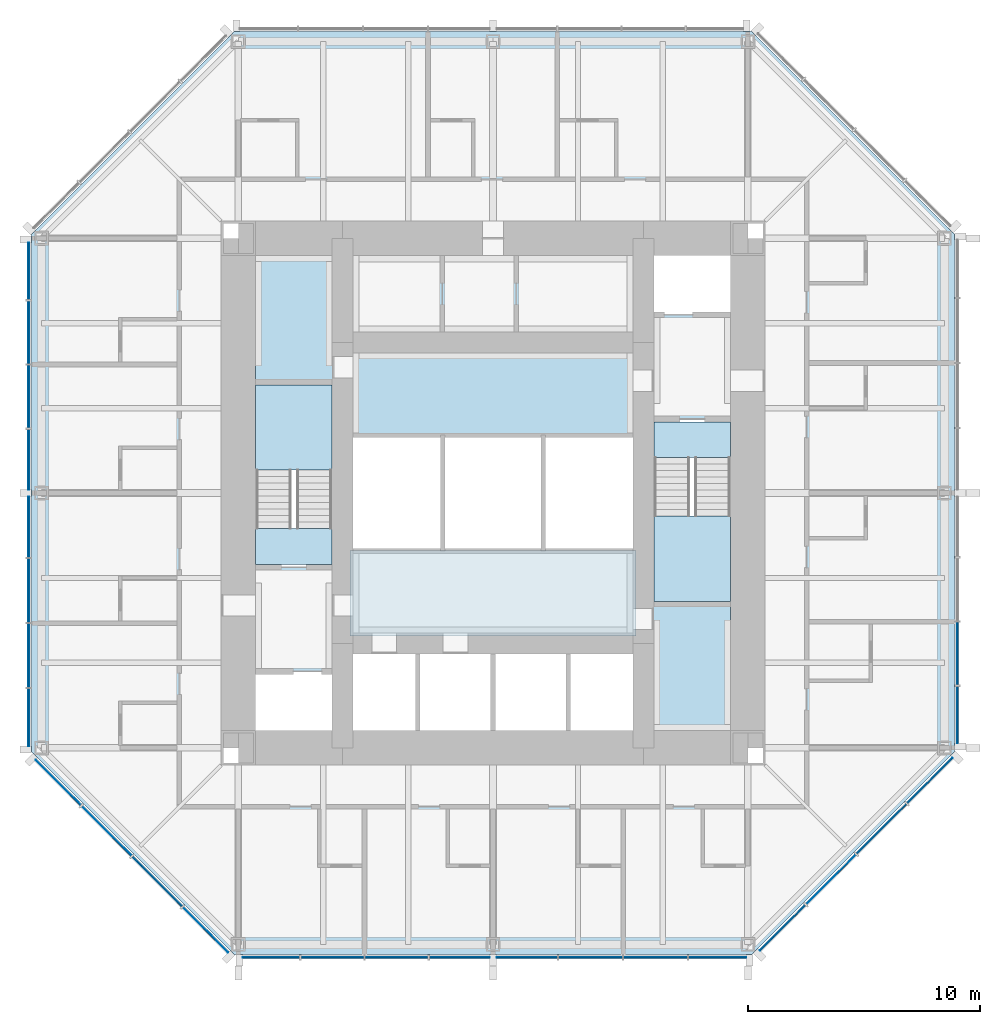
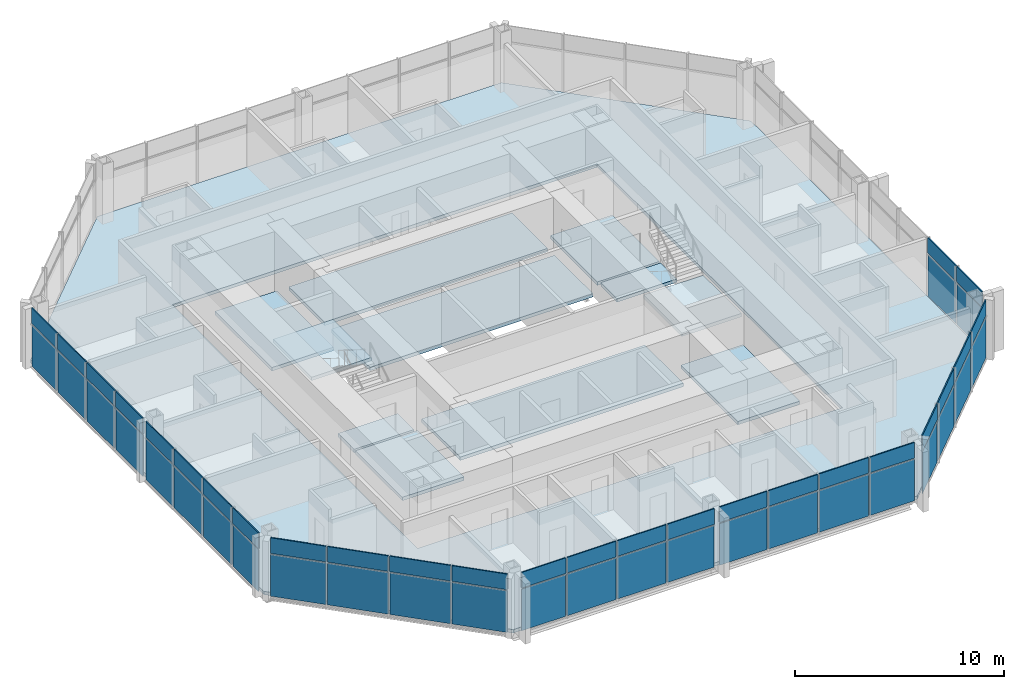
# One storey, part 6 of 12: 52 plates, 12 slabs, 7 elements without a shape of their own.
"""IFC4 building model written with IfcOpenShell, lengths in metres."""

from ifc_helpers import new_model, si_unit, direction, frame, origin, origin_2d, place, context, subcontext, project, spatial, polyline, rectangle, outline, extrude, material, layer, layer_set, type_object, element, aggregate, save


model = new_model("IFC4")

# Units and contexts
model_context = context("Model", 3, precision=1e-05, world=origin(), true_north=direction((0.0, 1.0)))
body_context = subcontext(model_context, "Body", "Model", "MODEL_VIEW")
ifc_project = project(units=[si_unit("LENGTHUNIT", "METRE"), si_unit("AREAUNIT", "SQUARE_METRE"), si_unit("VOLUMEUNIT", "CUBIC_METRE"), si_unit("PLANEANGLEUNIT", "RADIAN"), si_unit("MASSUNIT", "GRAM", prefix="KILO")], contexts=[model_context])

# Site, building, storey
site_placement = place(None, origin())
site = spatial("IfcSite", under=ifc_project, at=site_placement, CompositionType="ELEMENT")
building_placement = place(site_placement, origin())
building = spatial("IfcBuilding", under=site, at=building_placement, Name="Trevanion Tower", CompositionType="ELEMENT")
storey_placement = place(building_placement, frame((0.0, 0.0, 204.699951171875)))
storey = spatial("IfcBuildingStorey", under=building, at=storey_placement, Name="L48", CompositionType="ELEMENT", Elevation=204.699951171875)

# Curtain wall, plates
ifc_material_1 = material(Name="Aluminium and glass", Category="aluminium")
curtain_wall_type = type_object("IfcCurtainWallType", Name="CW3 curtain wall", PredefinedType="USERDEFINED", material=ifc_material_1)
curtain_wall_1_placement = place(storey_placement, origin())
curtain_wall_1 = element("IfcCurtainWall", 1, at=curtain_wall_1_placement, inside=storey, type_object=curtain_wall_type, Name="CW3 L48 0", ObjectType="UNITISED CURTAIN WALL", PredefinedType="USERDEFINED")
ifc_material_2 = material(Name="Aluminium spandrel panel", Category="aluminium")
ifc_layer_1 = layer(ifc_material_2, 0.06005859375)
ifc_layer_set_1 = layer_set([ifc_layer_1], Name="CW3 spandrel panel")
plate_type_1 = type_object("IfcPlateType", Name="CW3 spandrel panel", PredefinedType="CURTAIN_PANEL", material=ifc_layer_set_1)
plate_1_placement = place(storey_placement, frame((20.050048828125, -9.579345703125, 2.3974609375), z_axis=(0.0, 0.0, 1.0), x_axis=(0.0, 1.0, 0.0)))
plate_1 = element("IfcPlate", 2, at=plate_1_placement, type_object=plate_type_1, Name="CW3 panel 1.2", PredefinedType="CURTAIN_PANEL", context=body_context, shape_type="SweptSolid", body=[
    extrude(rectangle(XDim=2.43701171875, YDim=0.06005859375, at=origin_2d()), origin(), (0.0, 0.0, 1.0), 0.91259765625),
])
plate_2_placement = place(storey_placement, frame((20.050048828125, -6.93603515625, 2.3974609375), z_axis=(0.0, 0.0, 1.0), x_axis=(0.0, 1.0, 0.0)))
plate_2 = element("IfcPlate", 3, at=plate_2_placement, type_object=plate_type_1, Name="CW3 panel 2.2", PredefinedType="CURTAIN_PANEL", context=body_context, shape_type="SweptSolid", body=[
    extrude(rectangle(XDim=2.699462890625, YDim=0.06005859375, at=origin_2d()), origin(), (0.0, 0.0, 1.0), 0.91259765625),
])

curtain_wall_2_placement = place(storey_placement, origin())
curtain_wall_2 = element("IfcCurtainWall", 4, at=curtain_wall_2_placement, inside=storey, type_object=curtain_wall_type, Name="CW3 L48 4", ObjectType="UNITISED CURTAIN WALL", PredefinedType="USERDEFINED")
plate_3_placement = place(storey_placement, frame((-20.050048828125, 9.579345703125, 2.3974609375), z_axis=(0.0, 0.0, 1.0), x_axis=(0.0, -1.0, 0.0)))
plate_3 = element("IfcPlate", 5, at=plate_3_placement, type_object=plate_type_1, Name="CW3 panel 1.2", PredefinedType="CURTAIN_PANEL", context=body_context, shape_type="SweptSolid", body=[
    extrude(rectangle(XDim=2.43701171875, YDim=0.06005859375, at=origin_2d()), origin(), (0.0, 0.0, 1.0), 0.91259765625),
])
plate_4_placement = place(storey_placement, frame((-20.050048828125, 6.93603515625, 2.3974609375), z_axis=(0.0, 0.0, 1.0), x_axis=(0.0, -1.0, 0.0)))
plate_4 = element("IfcPlate", 6, at=plate_4_placement, type_object=plate_type_1, Name="CW3 panel 2.2", PredefinedType="CURTAIN_PANEL", context=body_context, shape_type="SweptSolid", body=[
    extrude(rectangle(XDim=2.699462890625, YDim=0.06005859375, at=origin_2d()), origin(), (0.0, 0.0, 1.0), 0.91259765625),
])
plate_5_placement = place(storey_placement, frame((-20.050048828125, 4.16162109375, 2.3974609375), z_axis=(0.0, 0.0, 1.0), x_axis=(0.0, -1.0, 0.0)))
plate_5 = element("IfcPlate", 7, at=plate_5_placement, type_object=plate_type_1, Name="CW3 panel 3.2", PredefinedType="CURTAIN_PANEL", context=body_context, shape_type="SweptSolid", body=[
    extrude(rectangle(XDim=2.699462890625, YDim=0.06005859375, at=origin_2d()), origin(), (0.0, 0.0, 1.0), 0.91259765625),
])
plate_6_placement = place(storey_placement, frame((-20.050048828125, 1.443603515625, 2.3974609375), z_axis=(0.0, 0.0, 1.0), x_axis=(0.0, -1.0, 0.0)))
plate_6 = element("IfcPlate", 8, at=plate_6_placement, type_object=plate_type_1, Name="CW3 panel 4.2", PredefinedType="CURTAIN_PANEL", context=body_context, shape_type="SweptSolid", body=[
    extrude(rectangle(XDim=2.5869140625, YDim=0.06005859375, at=origin_2d()), origin(), (0.0, 0.0, 1.0), 0.91259765625),
])
plate_7_placement = place(storey_placement, frame((-20.050048828125, -1.459716796875, 2.3974609375), z_axis=(0.0, 0.0, 1.0), x_axis=(0.0, -1.0, 0.0)))
plate_7 = element("IfcPlate", 9, at=plate_7_placement, type_object=plate_type_1, Name="CW3 panel 5.2", PredefinedType="CURTAIN_PANEL", context=body_context, shape_type="SweptSolid", body=[
    extrude(rectangle(XDim=2.619384765625, YDim=0.06005859375, at=origin_2d()), origin(), (0.0, 0.0, 1.0), 0.91259765625),
])
plate_8_placement = place(storey_placement, frame((-20.050048828125, -4.21044921875, 2.3974609375), z_axis=(0.0, 0.0, 1.0), x_axis=(0.0, -1.0, 0.0)))
plate_8 = element("IfcPlate", 10, at=plate_8_placement, type_object=plate_type_1, Name="CW3 panel 6.2", PredefinedType="CURTAIN_PANEL", context=body_context, shape_type="SweptSolid", body=[
    extrude(rectangle(XDim=2.73193359375, YDim=0.06005859375, at=origin_2d()), origin(), (0.0, 0.0, 1.0), 0.91259765625),
])
plate_9_placement = place(storey_placement, frame((-20.050048828125, -7.017333984375, 2.3974609375), z_axis=(0.0, 0.0, 1.0), x_axis=(0.0, -1.0, 0.0)))
plate_9 = element("IfcPlate", 11, at=plate_9_placement, type_object=plate_type_1, Name="CW3 panel 7.2", PredefinedType="CURTAIN_PANEL", context=body_context, shape_type="SweptSolid", body=[
    extrude(rectangle(XDim=2.73193359375, YDim=0.06005859375, at=origin_2d()), origin(), (0.0, 0.0, 1.0), 0.91259765625),
])
plate_10_placement = place(storey_placement, frame((-20.050048828125, -9.693115234375, 2.3974609375), z_axis=(0.0, 0.0, 1.0), x_axis=(0.0, -1.0, 0.0)))
plate_10 = element("IfcPlate", 12, at=plate_10_placement, type_object=plate_type_1, Name="CW3 panel 8.2", PredefinedType="CURTAIN_PANEL", context=body_context, shape_type="SweptSolid", body=[
    extrude(rectangle(XDim=2.469482421875, YDim=0.06005859375, at=origin_2d()), origin(), (0.0, 0.0, 1.0), 0.91259765625),
])

curtain_wall_3_placement = place(storey_placement, origin())
curtain_wall_3 = element("IfcCurtainWall", 13, at=curtain_wall_3_placement, inside=storey, type_object=curtain_wall_type, Name="CW3 L48 5", ObjectType="UNITISED CURTAIN WALL", PredefinedType="USERDEFINED")
plate_11_placement = place(storey_placement, frame((-18.77392578125, -12.50390625, 2.3974609375), z_axis=(0.0, 0.0, 1.0), x_axis=(0.707106781187, -0.707106781187, 0.0)))
plate_11 = element("IfcPlate", 14, at=plate_11_placement, type_object=plate_type_1, Name="CW3 panel 1.2", PredefinedType="CURTAIN_PANEL", context=body_context, shape_type="SweptSolid", body=[
    extrude(rectangle(XDim=2.7490234375, YDim=0.06005859375, at=origin_2d()), origin(), (0.0, 0.0, 1.0), 0.91259765625),
])
plate_12_placement = place(storey_placement, frame((-16.68408203125, -14.593505859375, 2.3974609375), z_axis=(0.0, 0.0, 1.0), x_axis=(0.707106781187, -0.707106781187, 0.0)))
plate_12 = element("IfcPlate", 15, at=plate_12_placement, type_object=plate_type_1, Name="CW3 panel 2.2", PredefinedType="CURTAIN_PANEL", context=body_context, shape_type="SweptSolid", body=[
    extrude(rectangle(XDim=3.01171875, YDim=0.06005859375, at=origin_2d()), origin(), (0.0, 0.0, 1.0), 0.91259765625),
])
plate_13_placement = place(storey_placement, frame((-14.501708984375, -16.776123046875, 2.3974609375), z_axis=(0.0, 0.0, 1.0), x_axis=(0.707106781187, -0.707106781187, 0.0)))
plate_13 = element("IfcPlate", 16, at=plate_13_placement, type_object=plate_type_1, Name="CW3 panel 3.2", PredefinedType="CURTAIN_PANEL", context=body_context, shape_type="SweptSolid", body=[
    extrude(rectangle(XDim=3.01171875, YDim=0.06005859375, at=origin_2d()), origin(), (0.0, 0.0, 1.0), 0.91259765625),
])
plate_14_placement = place(storey_placement, frame((-12.411865234375, -18.865966796875, 2.3974609375), z_axis=(0.0, 0.0, 1.0), x_axis=(0.707106781187, -0.707106781187, 0.0)))
plate_14 = element("IfcPlate", 17, at=plate_14_placement, type_object=plate_type_1, Name="CW3 panel 4.2", PredefinedType="CURTAIN_PANEL", context=body_context, shape_type="SweptSolid", body=[
    extrude(rectangle(XDim=2.7490234375, YDim=0.06005859375, at=origin_2d()), origin(), (0.0, 0.0, 1.0), 0.91259765625),
])

curtain_wall_4_placement = place(storey_placement, origin())
curtain_wall_4 = element("IfcCurtainWall", 18, at=curtain_wall_4_placement, inside=storey, type_object=curtain_wall_type, Name="CW3 L48 6", ObjectType="UNITISED CURTAIN WALL", PredefinedType="USERDEFINED")
plate_15_placement = place(storey_placement, frame((-9.579345703125, -20.050048828125, 2.3974609375), z_axis=(0.0, 0.0, 1.0), x_axis=(1.0, 0.0, 0.0)))
plate_15 = element("IfcPlate", 19, at=plate_15_placement, type_object=plate_type_1, Name="CW3 panel 1.2", PredefinedType="CURTAIN_PANEL", context=body_context, shape_type="SweptSolid", body=[
    extrude(rectangle(XDim=2.43701171875, YDim=0.06005859375, at=origin_2d()), origin(), (0.0, 0.0, 1.0), 0.91259765625),
])
plate_16_placement = place(storey_placement, frame((-6.93603515625, -20.050048828125, 2.3974609375), z_axis=(0.0, 0.0, 1.0), x_axis=(1.0, 0.0, 0.0)))
plate_16 = element("IfcPlate", 20, at=plate_16_placement, type_object=plate_type_1, Name="CW3 panel 2.2", PredefinedType="CURTAIN_PANEL", context=body_context, shape_type="SweptSolid", body=[
    extrude(rectangle(XDim=2.699462890625, YDim=0.06005859375, at=origin_2d()), origin(), (0.0, 0.0, 1.0), 0.91259765625),
])
plate_17_placement = place(storey_placement, frame((-4.16162109375, -20.050048828125, 2.3974609375), z_axis=(0.0, 0.0, 1.0), x_axis=(1.0, 0.0, 0.0)))
plate_17 = element("IfcPlate", 21, at=plate_17_placement, type_object=plate_type_1, Name="CW3 panel 3.2", PredefinedType="CURTAIN_PANEL", context=body_context, shape_type="SweptSolid", body=[
    extrude(rectangle(XDim=2.699462890625, YDim=0.06005859375, at=origin_2d()), origin(), (0.0, 0.0, 1.0), 0.91259765625),
])
plate_18_placement = place(storey_placement, frame((-1.443603515625, -20.050048828125, 2.3974609375), z_axis=(0.0, 0.0, 1.0), x_axis=(1.0, 0.0, 0.0)))
plate_18 = element("IfcPlate", 22, at=plate_18_placement, type_object=plate_type_1, Name="CW3 panel 4.2", PredefinedType="CURTAIN_PANEL", context=body_context, shape_type="SweptSolid", body=[
    extrude(rectangle(XDim=2.5869140625, YDim=0.06005859375, at=origin_2d()), origin(), (0.0, 0.0, 1.0), 0.91259765625),
])
plate_19_placement = place(storey_placement, frame((1.459716796875, -20.050048828125, 2.3974609375), z_axis=(0.0, 0.0, 1.0), x_axis=(1.0, 0.0, 0.0)))
plate_19 = element("IfcPlate", 23, at=plate_19_placement, type_object=plate_type_1, Name="CW3 panel 5.2", PredefinedType="CURTAIN_PANEL", context=body_context, shape_type="SweptSolid", body=[
    extrude(rectangle(XDim=2.619384765625, YDim=0.06005859375, at=origin_2d()), origin(), (0.0, 0.0, 1.0), 0.91259765625),
])
plate_20_placement = place(storey_placement, frame((4.21044921875, -20.050048828125, 2.3974609375), z_axis=(0.0, 0.0, 1.0), x_axis=(1.0, 0.0, 0.0)))
plate_20 = element("IfcPlate", 24, at=plate_20_placement, type_object=plate_type_1, Name="CW3 panel 6.2", PredefinedType="CURTAIN_PANEL", context=body_context, shape_type="SweptSolid", body=[
    extrude(rectangle(XDim=2.73193359375, YDim=0.06005859375, at=origin_2d()), origin(), (0.0, 0.0, 1.0), 0.91259765625),
])
plate_21_placement = place(storey_placement, frame((7.017333984375, -20.050048828125, 2.3974609375), z_axis=(0.0, 0.0, 1.0), x_axis=(1.0, 0.0, 0.0)))
plate_21 = element("IfcPlate", 25, at=plate_21_placement, type_object=plate_type_1, Name="CW3 panel 7.2", PredefinedType="CURTAIN_PANEL", context=body_context, shape_type="SweptSolid", body=[
    extrude(rectangle(XDim=2.73193359375, YDim=0.06005859375, at=origin_2d()), origin(), (0.0, 0.0, 1.0), 0.91259765625),
])
plate_22_placement = place(storey_placement, frame((9.693115234375, -20.050048828125, 2.3974609375), z_axis=(0.0, 0.0, 1.0), x_axis=(1.0, 0.0, 0.0)))
plate_22 = element("IfcPlate", 26, at=plate_22_placement, type_object=plate_type_1, Name="CW3 panel 8.2", PredefinedType="CURTAIN_PANEL", context=body_context, shape_type="SweptSolid", body=[
    extrude(rectangle(XDim=2.469482421875, YDim=0.06005859375, at=origin_2d()), origin(), (0.0, 0.0, 1.0), 0.91259765625),
])

curtain_wall_5_placement = place(storey_placement, origin())
curtain_wall_5 = element("IfcCurtainWall", 27, at=curtain_wall_5_placement, inside=storey, type_object=curtain_wall_type, Name="CW3 L48 7", ObjectType="UNITISED CURTAIN WALL", PredefinedType="USERDEFINED")
plate_23_placement = place(storey_placement, frame((12.50390625, -18.77392578125, 2.3974609375), z_axis=(0.0, 0.0, 1.0), x_axis=(0.707106781187, 0.707106781187, 0.0)))
plate_23 = element("IfcPlate", 28, at=plate_23_placement, type_object=plate_type_1, Name="CW3 panel 1.2", PredefinedType="CURTAIN_PANEL", context=body_context, shape_type="SweptSolid", body=[
    extrude(rectangle(XDim=2.7490234375, YDim=0.06005859375, at=origin_2d()), origin(), (0.0, 0.0, 1.0), 0.91259765625),
])
plate_24_placement = place(storey_placement, frame((14.593505859375, -16.68408203125, 2.3974609375), z_axis=(0.0, 0.0, 1.0), x_axis=(0.707106781187, 0.707106781187, 0.0)))
plate_24 = element("IfcPlate", 29, at=plate_24_placement, type_object=plate_type_1, Name="CW3 panel 2.2", PredefinedType="CURTAIN_PANEL", context=body_context, shape_type="SweptSolid", body=[
    extrude(rectangle(XDim=3.01171875, YDim=0.06005859375, at=origin_2d()), origin(), (0.0, 0.0, 1.0), 0.91259765625),
])
plate_25_placement = place(storey_placement, frame((16.776123046875, -14.501708984375, 2.3974609375), z_axis=(0.0, 0.0, 1.0), x_axis=(0.707106781187, 0.707106781187, 0.0)))
plate_25 = element("IfcPlate", 30, at=plate_25_placement, type_object=plate_type_1, Name="CW3 panel 3.2", PredefinedType="CURTAIN_PANEL", context=body_context, shape_type="SweptSolid", body=[
    extrude(rectangle(XDim=3.01171875, YDim=0.06005859375, at=origin_2d()), origin(), (0.0, 0.0, 1.0), 0.91259765625),
])
plate_26_placement = place(storey_placement, frame((18.865966796875, -12.411865234375, 2.3974609375), z_axis=(0.0, 0.0, 1.0), x_axis=(0.707106781187, 0.707106781187, 0.0)))
plate_26 = element("IfcPlate", 31, at=plate_26_placement, type_object=plate_type_1, Name="CW3 panel 4.2", PredefinedType="CURTAIN_PANEL", context=body_context, shape_type="SweptSolid", body=[
    extrude(rectangle(XDim=2.7490234375, YDim=0.06005859375, at=origin_2d()), origin(), (0.0, 0.0, 1.0), 0.91259765625),
])

# Plate
ifc_material_3 = material(Name="Insulating glass unit", Category="glass")
ifc_layer_2 = layer(ifc_material_3, 0.028076171875)
ifc_layer_set_2 = layer_set([ifc_layer_2], Name="CW3 vision panel")
plate_type_2 = type_object("IfcPlateType", Name="CW3 vision panel", PredefinedType="CURTAIN_PANEL", material=ifc_layer_set_2)
plate_27_placement = place(storey_placement, frame((20.050048828125, -9.579345703125, -0.114990234375), z_axis=(0.0, 0.0, 1.0), x_axis=(0.0, 1.0, 0.0)))
plate_27 = element("IfcPlate", 32, at=plate_27_placement, type_object=plate_type_2, Name="CW3 panel 1.1", PredefinedType="CURTAIN_PANEL", context=body_context, shape_type="SweptSolid", body=[
    extrude(rectangle(XDim=2.43701171875, YDim=0.028076171875, at=origin_2d()), origin(), (0.0, 0.0, 1.0), 2.4375),
])

plate_28_placement = place(storey_placement, frame((20.050048828125, -6.93603515625, -0.114990234375), z_axis=(0.0, 0.0, 1.0), x_axis=(0.0, 1.0, 0.0)))
plate_28 = element("IfcPlate", 33, at=plate_28_placement, type_object=plate_type_2, Name="CW3 panel 2.1", PredefinedType="CURTAIN_PANEL", context=body_context, shape_type="SweptSolid", body=[
    extrude(rectangle(XDim=2.699462890625, YDim=0.028076171875, at=origin_2d()), origin(), (0.0, 0.0, 1.0), 2.4375),
])

aggregate(curtain_wall_1, [plate_27, plate_1, plate_28, plate_2])

plate_29_placement = place(storey_placement, frame((-20.050048828125, 9.579345703125, -0.114990234375), z_axis=(0.0, 0.0, 1.0), x_axis=(0.0, -1.0, 0.0)))
plate_29 = element("IfcPlate", 34, at=plate_29_placement, type_object=plate_type_2, Name="CW3 panel 1.1", PredefinedType="CURTAIN_PANEL", context=body_context, shape_type="SweptSolid", body=[
    extrude(rectangle(XDim=2.43701171875, YDim=0.028076171875, at=origin_2d()), origin(), (0.0, 0.0, 1.0), 2.4375),
])

plate_30_placement = place(storey_placement, frame((-20.050048828125, 6.93603515625, -0.114990234375), z_axis=(0.0, 0.0, 1.0), x_axis=(0.0, -1.0, 0.0)))
plate_30 = element("IfcPlate", 35, at=plate_30_placement, type_object=plate_type_2, Name="CW3 panel 2.1", PredefinedType="CURTAIN_PANEL", context=body_context, shape_type="SweptSolid", body=[
    extrude(rectangle(XDim=2.699462890625, YDim=0.028076171875, at=origin_2d()), origin(), (0.0, 0.0, 1.0), 2.4375),
])

plate_31_placement = place(storey_placement, frame((-20.050048828125, 4.16162109375, -0.114990234375), z_axis=(0.0, 0.0, 1.0), x_axis=(0.0, -1.0, 0.0)))
plate_31 = element("IfcPlate", 36, at=plate_31_placement, type_object=plate_type_2, Name="CW3 panel 3.1", PredefinedType="CURTAIN_PANEL", context=body_context, shape_type="SweptSolid", body=[
    extrude(rectangle(XDim=2.699462890625, YDim=0.028076171875, at=origin_2d()), origin(), (0.0, 0.0, 1.0), 2.4375),
])

plate_32_placement = place(storey_placement, frame((-20.050048828125, 1.443603515625, -0.114990234375), z_axis=(0.0, 0.0, 1.0), x_axis=(0.0, -1.0, 0.0)))
plate_32 = element("IfcPlate", 37, at=plate_32_placement, type_object=plate_type_2, Name="CW3 panel 4.1", PredefinedType="CURTAIN_PANEL", context=body_context, shape_type="SweptSolid", body=[
    extrude(rectangle(XDim=2.5869140625, YDim=0.028076171875, at=origin_2d()), origin(), (0.0, 0.0, 1.0), 2.4375),
])

plate_33_placement = place(storey_placement, frame((-20.050048828125, -1.459716796875, -0.114990234375), z_axis=(0.0, 0.0, 1.0), x_axis=(0.0, -1.0, 0.0)))
plate_33 = element("IfcPlate", 38, at=plate_33_placement, type_object=plate_type_2, Name="CW3 panel 5.1", PredefinedType="CURTAIN_PANEL", context=body_context, shape_type="SweptSolid", body=[
    extrude(rectangle(XDim=2.619384765625, YDim=0.028076171875, at=origin_2d()), origin(), (0.0, 0.0, 1.0), 2.4375),
])

plate_34_placement = place(storey_placement, frame((-20.050048828125, -4.21044921875, -0.114990234375), z_axis=(0.0, 0.0, 1.0), x_axis=(0.0, -1.0, 0.0)))
plate_34 = element("IfcPlate", 39, at=plate_34_placement, type_object=plate_type_2, Name="CW3 panel 6.1", PredefinedType="CURTAIN_PANEL", context=body_context, shape_type="SweptSolid", body=[
    extrude(rectangle(XDim=2.73193359375, YDim=0.028076171875, at=origin_2d()), origin(), (0.0, 0.0, 1.0), 2.4375),
])

plate_35_placement = place(storey_placement, frame((-20.050048828125, -7.017333984375, -0.114990234375), z_axis=(0.0, 0.0, 1.0), x_axis=(0.0, -1.0, 0.0)))
plate_35 = element("IfcPlate", 40, at=plate_35_placement, type_object=plate_type_2, Name="CW3 panel 7.1", PredefinedType="CURTAIN_PANEL", context=body_context, shape_type="SweptSolid", body=[
    extrude(rectangle(XDim=2.73193359375, YDim=0.028076171875, at=origin_2d()), origin(), (0.0, 0.0, 1.0), 2.4375),
])

plate_36_placement = place(storey_placement, frame((-20.050048828125, -9.693115234375, -0.114990234375), z_axis=(0.0, 0.0, 1.0), x_axis=(0.0, -1.0, 0.0)))
plate_36 = element("IfcPlate", 41, at=plate_36_placement, type_object=plate_type_2, Name="CW3 panel 8.1", PredefinedType="CURTAIN_PANEL", context=body_context, shape_type="SweptSolid", body=[
    extrude(rectangle(XDim=2.469482421875, YDim=0.028076171875, at=origin_2d()), origin(), (0.0, 0.0, 1.0), 2.4375),
])

aggregate(curtain_wall_2, [plate_29, plate_3, plate_30, plate_4, plate_31, plate_5, plate_32, plate_6, plate_33, plate_7, plate_34, plate_8, plate_35, plate_9, plate_36, plate_10])

plate_37_placement = place(storey_placement, frame((-18.77392578125, -12.50390625, -0.114990234375), z_axis=(0.0, 0.0, 1.0), x_axis=(0.707106781187, -0.707106781187, 0.0)))
plate_37 = element("IfcPlate", 42, at=plate_37_placement, type_object=plate_type_2, Name="CW3 panel 1.1", PredefinedType="CURTAIN_PANEL", context=body_context, shape_type="SweptSolid", body=[
    extrude(rectangle(XDim=2.7490234375, YDim=0.028076171875, at=origin_2d()), origin(), (0.0, 0.0, 1.0), 2.4375),
])

plate_38_placement = place(storey_placement, frame((-16.68408203125, -14.593505859375, -0.114990234375), z_axis=(0.0, 0.0, 1.0), x_axis=(0.707106781187, -0.707106781187, 0.0)))
plate_38 = element("IfcPlate", 43, at=plate_38_placement, type_object=plate_type_2, Name="CW3 panel 2.1", PredefinedType="CURTAIN_PANEL", context=body_context, shape_type="SweptSolid", body=[
    extrude(rectangle(XDim=3.01171875, YDim=0.028076171875, at=origin_2d()), origin(), (0.0, 0.0, 1.0), 2.4375),
])

plate_39_placement = place(storey_placement, frame((-14.501708984375, -16.776123046875, -0.114990234375), z_axis=(0.0, 0.0, 1.0), x_axis=(0.707106781187, -0.707106781187, 0.0)))
plate_39 = element("IfcPlate", 44, at=plate_39_placement, type_object=plate_type_2, Name="CW3 panel 3.1", PredefinedType="CURTAIN_PANEL", context=body_context, shape_type="SweptSolid", body=[
    extrude(rectangle(XDim=3.01171875, YDim=0.028076171875, at=origin_2d()), origin(), (0.0, 0.0, 1.0), 2.4375),
])

plate_40_placement = place(storey_placement, frame((-12.411865234375, -18.865966796875, -0.114990234375), z_axis=(0.0, 0.0, 1.0), x_axis=(0.707106781187, -0.707106781187, 0.0)))
plate_40 = element("IfcPlate", 45, at=plate_40_placement, type_object=plate_type_2, Name="CW3 panel 4.1", PredefinedType="CURTAIN_PANEL", context=body_context, shape_type="SweptSolid", body=[
    extrude(rectangle(XDim=2.7490234375, YDim=0.028076171875, at=origin_2d()), origin(), (0.0, 0.0, 1.0), 2.4375),
])

aggregate(curtain_wall_3, [plate_37, plate_11, plate_38, plate_12, plate_39, plate_13, plate_40, plate_14])

plate_41_placement = place(storey_placement, frame((-9.579345703125, -20.050048828125, -0.114990234375), z_axis=(0.0, 0.0, 1.0), x_axis=(1.0, 0.0, 0.0)))
plate_41 = element("IfcPlate", 46, at=plate_41_placement, type_object=plate_type_2, Name="CW3 panel 1.1", PredefinedType="CURTAIN_PANEL", context=body_context, shape_type="SweptSolid", body=[
    extrude(rectangle(XDim=2.43701171875, YDim=0.028076171875, at=origin_2d()), origin(), (0.0, 0.0, 1.0), 2.4375),
])

plate_42_placement = place(storey_placement, frame((-6.93603515625, -20.050048828125, -0.114990234375), z_axis=(0.0, 0.0, 1.0), x_axis=(1.0, 0.0, 0.0)))
plate_42 = element("IfcPlate", 47, at=plate_42_placement, type_object=plate_type_2, Name="CW3 panel 2.1", PredefinedType="CURTAIN_PANEL", context=body_context, shape_type="SweptSolid", body=[
    extrude(rectangle(XDim=2.699462890625, YDim=0.028076171875, at=origin_2d()), origin(), (0.0, 0.0, 1.0), 2.4375),
])

plate_43_placement = place(storey_placement, frame((-4.16162109375, -20.050048828125, -0.114990234375), z_axis=(0.0, 0.0, 1.0), x_axis=(1.0, 0.0, 0.0)))
plate_43 = element("IfcPlate", 48, at=plate_43_placement, type_object=plate_type_2, Name="CW3 panel 3.1", PredefinedType="CURTAIN_PANEL", context=body_context, shape_type="SweptSolid", body=[
    extrude(rectangle(XDim=2.699462890625, YDim=0.028076171875, at=origin_2d()), origin(), (0.0, 0.0, 1.0), 2.4375),
])

plate_44_placement = place(storey_placement, frame((-1.443603515625, -20.050048828125, -0.114990234375), z_axis=(0.0, 0.0, 1.0), x_axis=(1.0, 0.0, 0.0)))
plate_44 = element("IfcPlate", 49, at=plate_44_placement, type_object=plate_type_2, Name="CW3 panel 4.1", PredefinedType="CURTAIN_PANEL", context=body_context, shape_type="SweptSolid", body=[
    extrude(rectangle(XDim=2.5869140625, YDim=0.028076171875, at=origin_2d()), origin(), (0.0, 0.0, 1.0), 2.4375),
])

plate_45_placement = place(storey_placement, frame((1.459716796875, -20.050048828125, -0.114990234375), z_axis=(0.0, 0.0, 1.0), x_axis=(1.0, 0.0, 0.0)))
plate_45 = element("IfcPlate", 50, at=plate_45_placement, type_object=plate_type_2, Name="CW3 panel 5.1", PredefinedType="CURTAIN_PANEL", context=body_context, shape_type="SweptSolid", body=[
    extrude(rectangle(XDim=2.619384765625, YDim=0.028076171875, at=origin_2d()), origin(), (0.0, 0.0, 1.0), 2.4375),
])

plate_46_placement = place(storey_placement, frame((4.21044921875, -20.050048828125, -0.114990234375), z_axis=(0.0, 0.0, 1.0), x_axis=(1.0, 0.0, 0.0)))
plate_46 = element("IfcPlate", 51, at=plate_46_placement, type_object=plate_type_2, Name="CW3 panel 6.1", PredefinedType="CURTAIN_PANEL", context=body_context, shape_type="SweptSolid", body=[
    extrude(rectangle(XDim=2.73193359375, YDim=0.028076171875, at=origin_2d()), origin(), (0.0, 0.0, 1.0), 2.4375),
])

plate_47_placement = place(storey_placement, frame((7.017333984375, -20.050048828125, -0.114990234375), z_axis=(0.0, 0.0, 1.0), x_axis=(1.0, 0.0, 0.0)))
plate_47 = element("IfcPlate", 52, at=plate_47_placement, type_object=plate_type_2, Name="CW3 panel 7.1", PredefinedType="CURTAIN_PANEL", context=body_context, shape_type="SweptSolid", body=[
    extrude(rectangle(XDim=2.73193359375, YDim=0.028076171875, at=origin_2d()), origin(), (0.0, 0.0, 1.0), 2.4375),
])

plate_48_placement = place(storey_placement, frame((9.693115234375, -20.050048828125, -0.114990234375), z_axis=(0.0, 0.0, 1.0), x_axis=(1.0, 0.0, 0.0)))
plate_48 = element("IfcPlate", 53, at=plate_48_placement, type_object=plate_type_2, Name="CW3 panel 8.1", PredefinedType="CURTAIN_PANEL", context=body_context, shape_type="SweptSolid", body=[
    extrude(rectangle(XDim=2.469482421875, YDim=0.028076171875, at=origin_2d()), origin(), (0.0, 0.0, 1.0), 2.4375),
])

aggregate(curtain_wall_4, [plate_41, plate_15, plate_42, plate_16, plate_43, plate_17, plate_44, plate_18, plate_45, plate_19, plate_46, plate_20, plate_47, plate_21, plate_48, plate_22])

plate_49_placement = place(storey_placement, frame((12.50390625, -18.77392578125, -0.114990234375), z_axis=(0.0, 0.0, 1.0), x_axis=(0.707106781187, 0.707106781187, 0.0)))
plate_49 = element("IfcPlate", 54, at=plate_49_placement, type_object=plate_type_2, Name="CW3 panel 1.1", PredefinedType="CURTAIN_PANEL", context=body_context, shape_type="SweptSolid", body=[
    extrude(rectangle(XDim=2.7490234375, YDim=0.028076171875, at=origin_2d()), origin(), (0.0, 0.0, 1.0), 2.4375),
])

plate_50_placement = place(storey_placement, frame((14.593505859375, -16.68408203125, -0.114990234375), z_axis=(0.0, 0.0, 1.0), x_axis=(0.707106781187, 0.707106781187, 0.0)))
plate_50 = element("IfcPlate", 55, at=plate_50_placement, type_object=plate_type_2, Name="CW3 panel 2.1", PredefinedType="CURTAIN_PANEL", context=body_context, shape_type="SweptSolid", body=[
    extrude(rectangle(XDim=3.01171875, YDim=0.028076171875, at=origin_2d()), origin(), (0.0, 0.0, 1.0), 2.4375),
])

plate_51_placement = place(storey_placement, frame((16.776123046875, -14.501708984375, -0.114990234375), z_axis=(0.0, 0.0, 1.0), x_axis=(0.707106781187, 0.707106781187, 0.0)))
plate_51 = element("IfcPlate", 56, at=plate_51_placement, type_object=plate_type_2, Name="CW3 panel 3.1", PredefinedType="CURTAIN_PANEL", context=body_context, shape_type="SweptSolid", body=[
    extrude(rectangle(XDim=3.01171875, YDim=0.028076171875, at=origin_2d()), origin(), (0.0, 0.0, 1.0), 2.4375),
])

plate_52_placement = place(storey_placement, frame((18.865966796875, -12.411865234375, -0.114990234375), z_axis=(0.0, 0.0, 1.0), x_axis=(0.707106781187, 0.707106781187, 0.0)))
plate_52 = element("IfcPlate", 57, at=plate_52_placement, type_object=plate_type_2, Name="CW3 panel 4.1", PredefinedType="CURTAIN_PANEL", context=body_context, shape_type="SweptSolid", body=[
    extrude(rectangle(XDim=2.7490234375, YDim=0.028076171875, at=origin_2d()), origin(), (0.0, 0.0, 1.0), 2.4375),
])

aggregate(curtain_wall_5, [plate_49, plate_23, plate_50, plate_24, plate_51, plate_25, plate_52, plate_26])

# Slabs
ifc_material_4 = material(Name="Concrete 5,000 psi on composite metal deck", Category="concrete")
ifc_layer_3 = layer(ifc_material_4, 0.18994140625)
ifc_layer_set_3 = layer_set([ifc_layer_3], Name="SL1 composite floor 190")
slab_type_1 = type_object("IfcSlabType", Name="SL1 composite floor 190", PredefinedType="FLOOR", material=ifc_layer_set_3)
slab_1_placement = place(storey_placement, frame((0.0, 0.0, -0.18994140625)))
element("IfcSlab", 58, at=slab_1_placement, inside=storey, type_object=slab_type_1, Name="SL1 L48 floor", PredefinedType="FLOOR", context=body_context, shape_type="SweptSolid", body=[
    extrude(outline(polyline([(19.919921875, -11.174072265625), (19.919921875, 11.174072265625), (11.174072265625, 19.919921875), (-11.174072265625, 19.919921875), (-19.919921875, 11.174072265625), (-19.919921875, -11.174072265625), (-11.174072265625, -19.919921875), (11.174072265625, -19.919921875), (19.919921875, -11.174072265625)]), holes=[polyline([(11.75, -11.75), (11.75, 11.75), (-11.75, 11.75), (-11.75, -11.75), (11.75, -11.75)])]), origin(), (0.0, 0.0, 1.0), 0.18994140625),
])
ifc_material_5 = material(Name="Concrete 5,000 psi", Category="concrete")
ifc_layer_4 = layer(ifc_material_5, 0.199951171875)
ifc_layer_set_4 = layer_set([ifc_layer_4], Name="SL2 core floor 200")
slab_type_2 = type_object("IfcSlabType", Name="SL2 core floor 200", PredefinedType="FLOOR", material=ifc_layer_set_4)
slab_2_placement = place(storey_placement, frame((0.0, 0.0, -0.199951171875)))
element("IfcSlab", 59, at=slab_2_placement, inside=storey, type_object=slab_type_2, Name="SL2 L48 core floor 1", PredefinedType="FLOOR", context=body_context, shape_type="SweptSolid", body=[
    extrude(outline(polyline([(10.25, -4.804931640625), (10.25, -10.25), (6.830078125, -10.25), (6.830078125, -4.804931640625), (10.25, -4.804931640625)])), origin(), (0.0, 0.0, 1.0), 0.199951171875),
])
slab_3_placement = place(storey_placement, frame((0.0, 0.0, -0.199951171875)))
element("IfcSlab", 60, at=slab_3_placement, inside=storey, type_object=slab_type_2, Name="SL2 L48 core floor 2", PredefinedType="FLOOR", context=body_context, shape_type="SweptSolid", body=[
    extrude(outline(polyline([(-6.830078125, -3.205078125), (-6.830078125, -7.695068359375), (-10.25, -7.695068359375), (-10.25, -3.205078125), (-6.830078125, -3.205078125)])), origin(), (0.0, 0.0, 1.0), 0.199951171875),
])
slab_4_placement = place(storey_placement, frame((0.0, 0.0, -0.199951171875)))
element("IfcSlab", 61, at=slab_4_placement, inside=storey, type_object=slab_type_2, Name="SL2 L48 core floor 3", PredefinedType="FLOOR", context=body_context, shape_type="SweptSolid", body=[
    extrude(outline(polyline([(6.169921875, -6.169921875), (-6.169921875, -6.169921875), (-6.169921875, -2.47998046875), (6.169921875, -2.47998046875), (6.169921875, -6.169921875)])), origin(), (0.0, 0.0, 1.0), 0.199951171875),
])
slab_5_placement = place(storey_placement, frame((0.0, 0.0, -0.199951171875)))
element("IfcSlab", 62, at=slab_5_placement, inside=storey, type_object=slab_type_2, Name="SL2 L48 core floor 4", PredefinedType="FLOOR", context=body_context, shape_type="SweptSolid", body=[
    extrude(outline(polyline([(6.169921875, 2.47998046875), (-6.169921875, 2.47998046875), (-6.169921875, 6.169921875), (6.169921875, 6.169921875), (6.169921875, 2.47998046875)])), origin(), (0.0, 0.0, 1.0), 0.199951171875),
])
slab_6_placement = place(storey_placement, frame((0.0, 0.0, -0.199951171875)))
element("IfcSlab", 63, at=slab_6_placement, inside=storey, type_object=slab_type_2, Name="SL2 L48 core floor 5", PredefinedType="FLOOR", context=body_context, shape_type="SweptSolid", body=[
    extrude(outline(polyline([(6.830078125, 3.205078125), (6.830078125, 7.695068359375), (10.25, 7.695068359375), (10.25, 3.205078125), (6.830078125, 3.205078125)])), origin(), (0.0, 0.0, 1.0), 0.199951171875),
])
slab_7_placement = place(storey_placement, frame((0.0, 0.0, -0.199951171875)))
element("IfcSlab", 64, at=slab_7_placement, inside=storey, type_object=slab_type_2, Name="SL2 L48 core floor 6", PredefinedType="FLOOR", context=body_context, shape_type="SweptSolid", body=[
    extrude(outline(polyline([(-6.830078125, 4.804931640625), (-10.25, 4.804931640625), (-10.25, 10.25), (-6.830078125, 10.25), (-6.830078125, 4.804931640625)])), origin(), (0.0, 0.0, 1.0), 0.199951171875),
])
slab_8_placement = place(storey_placement, frame((0.0, 0.0, -0.199951171875)))
element("IfcSlab", 65, at=slab_8_placement, inside=storey, type_object=slab_type_2, Name="SL2 L48 core floor 7", PredefinedType="FLOOR", context=body_context, shape_type="SweptSolid", body=[
    extrude(outline(polyline([(6.169921875, 6.830078125), (-6.169921875, 6.830078125), (-6.169921875, 10.25), (6.169921875, 10.25), (6.169921875, 6.830078125)])), origin(), (0.0, 0.0, 1.0), 0.199951171875),
])

# Stair, slabs
ifc_material_6 = material(Name="Concrete 5,000 psi on steel stringers", Category="concrete")
stair_type = type_object("IfcStairType", Name="ST stair", PredefinedType="HALF_TURN_STAIR", material=ifc_material_6)
stair_1_placement = place(storey_placement, origin())
stair_1 = element("IfcStair", 66, at=stair_1_placement, inside=storey, type_object=stair_type, Name="ST1 L48", PredefinedType="HALF_TURN_STAIR")
ifc_material_7 = material(Name="Concrete 5,000 psi in steel pan", Category="concrete")
ifc_layer_5 = layer(ifc_material_7, 0.199951171875)
ifc_layer_set_5 = layer_set([ifc_layer_5], Name="STL stair landing 200")
slab_type_3 = type_object("IfcSlabType", Name="STL stair landing 200", PredefinedType="LANDING", material=ifc_layer_set_5)
slab_9_placement = place(storey_placement, frame((0.0, 0.0, -0.199951171875)))
slab_9 = element("IfcSlab", 67, at=slab_9_placement, type_object=slab_type_3, Name="ST1 landing 1", PredefinedType="LANDING", context=body_context, shape_type="SweptSolid", body=[
    extrude(outline(polyline([(6.949951171875, 1.52490234375), (10.25, 1.52490234375), (10.25, 3.074951171875), (6.949951171875, 3.074951171875), (6.949951171875, 1.52490234375)])), origin(), (0.0, 0.0, 1.0), 0.199951171875),
])
slab_10_placement = place(storey_placement, frame((0.0, 0.0, 1.550048828125)))
slab_10 = element("IfcSlab", 68, at=slab_10_placement, type_object=slab_type_3, Name="ST1 landing 2", PredefinedType="LANDING", context=body_context, shape_type="SweptSolid", body=[
    extrude(outline(polyline([(6.949951171875, -4.675048828125), (10.25, -4.675048828125), (10.25, -0.9951171875), (6.949951171875, -0.9951171875), (6.949951171875, -4.675048828125)])), origin(), (0.0, 0.0, 1.0), 0.199951171875),
])
aggregate(stair_1, [slab_9, slab_10])

stair_2_placement = place(storey_placement, origin())
stair_2 = element("IfcStair", 69, at=stair_2_placement, inside=storey, type_object=stair_type, Name="ST2 L48", PredefinedType="HALF_TURN_STAIR")
slab_11_placement = place(storey_placement, frame((0.0, 0.0, -0.199951171875)))
slab_11 = element("IfcSlab", 70, at=slab_11_placement, type_object=slab_type_3, Name="ST2 landing 1", PredefinedType="LANDING", context=body_context, shape_type="SweptSolid", body=[
    extrude(outline(polyline([(-6.949951171875, -1.52490234375), (-10.25, -1.52490234375), (-10.25, -3.074951171875), (-6.949951171875, -3.074951171875), (-6.949951171875, -1.52490234375)])), origin(), (0.0, 0.0, 1.0), 0.199951171875),
])
slab_12_placement = place(storey_placement, frame((0.0, 0.0, 1.550048828125)))
slab_12 = element("IfcSlab", 71, at=slab_12_placement, type_object=slab_type_3, Name="ST2 landing 2", PredefinedType="LANDING", context=body_context, shape_type="SweptSolid", body=[
    extrude(outline(polyline([(-6.949951171875, 4.675048828125), (-10.25, 4.675048828125), (-10.25, 0.9951171875), (-6.949951171875, 0.9951171875), (-6.949951171875, 4.675048828125)])), origin(), (0.0, 0.0, 1.0), 0.199951171875),
])
aggregate(stair_2, [slab_11, slab_12])

save(model, "model.ifc")
